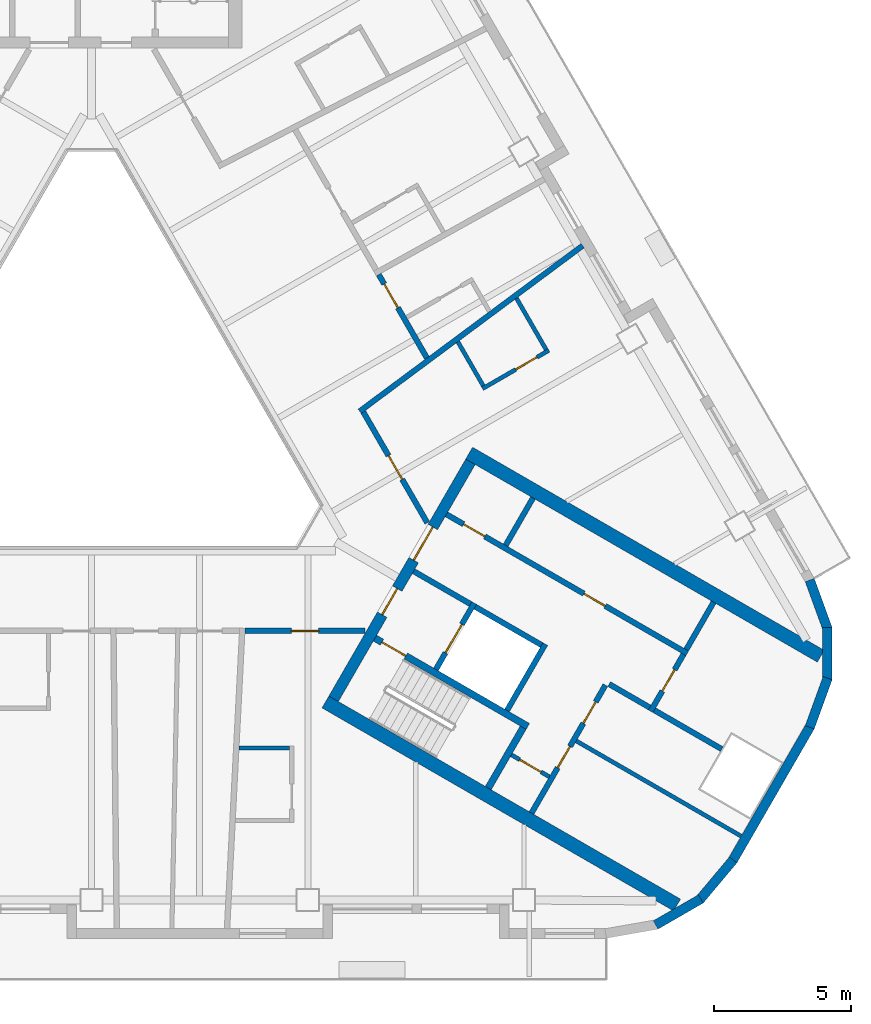
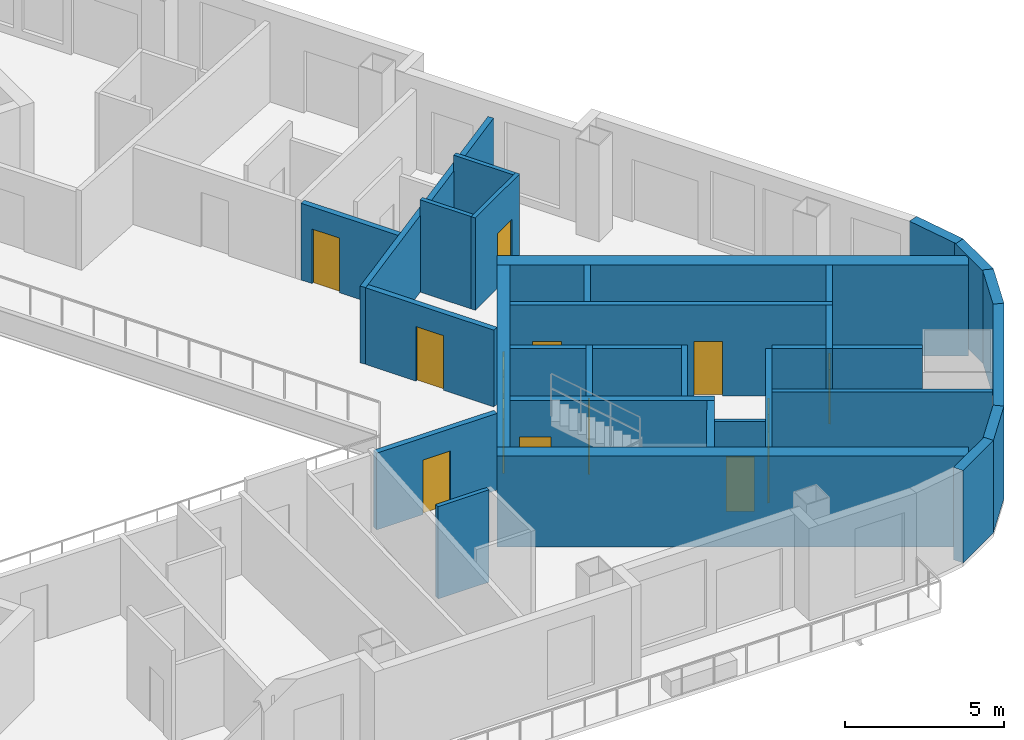
# One storey, part 5 of 14: 32 walls, 14 doors, 14 openings.
"""IFC4 building model written with IfcOpenShell, lengths in metres."""

from ifc_helpers import new_model, si_unit, direction, frame, frame_2d, origin, place, context, subcontext, project, spatial, rectangle, extrude, material, layer, layer_set, type_object, element, fill, save


model = new_model("IFC4")

# Units and contexts
model_context = context("Model", 3, precision=1e-05, world=origin(), true_north=direction((0.0, 1.0)))
body_context = subcontext(model_context, "Body", "Model", "MODEL_VIEW")
ifc_project = project(units=[si_unit("LENGTHUNIT", "METRE"), si_unit("AREAUNIT", "SQUARE_METRE"), si_unit("VOLUMEUNIT", "CUBIC_METRE"), si_unit("PLANEANGLEUNIT", "RADIAN"), si_unit("MASSUNIT", "GRAM", prefix="KILO")], contexts=[model_context])

# Site, building, storey
site_placement = place(None, origin())
site = spatial("IfcSite", under=ifc_project, at=site_placement, CompositionType="ELEMENT")
building_placement = place(site_placement, origin())
building = spatial("IfcBuilding", under=site, at=building_placement, Name="Apuvela Tower Hotel", CompositionType="ELEMENT")
storey_placement = place(building_placement, frame((0.0, 0.0, 172.5)))
storey = spatial("IfcBuildingStorey", under=building, at=storey_placement, Name="L41", CompositionType="ELEMENT", Elevation=172.5)

# Wall, openings, doors
ifc_material_1 = material(Name="Concrete C50/60", Category="concrete")
ifc_layer_1 = layer(ifc_material_1, 0.39990234375)
ifc_layer_set_1 = layer_set([ifc_layer_1], Name="COR-WALL-CORE-400")
wall_type_1 = type_object("IfcWallType", Name="COR-WALL-CORE-400", PredefinedType="SHEAR", material=ifc_layer_set_1)
wall_1_placement = place(storey_placement, frame((8.844970703125, -10.880126953125, 0.0), z_axis=(0.0, 0.0, 1.0), x_axis=(0.500004234368, 0.866022959057, 0.0)))
wall_1 = element("IfcWall", 1, at=wall_1_placement, inside=storey, type_object=wall_type_1, Name="Core wall SE", PredefinedType="SHEAR", context=body_context, shape_type="SweptSolid", body=[
    extrude(rectangle(XDim=10.0, YDim=0.39990234375, at=frame_2d((5.0, 0.0))), origin(), (0.0, 0.0, 1.0), 3.5),
])
opening_1_placement = place(wall_1_placement, frame((3.550048828125, 0.0, 0.0)))
opening_1 = element("IfcOpeningElement", 2, at=opening_1_placement, cuts=wall_1, Name="Opening E-FD", PredefinedType="OPENING", context=body_context, shape_type="SweptSolid", body=[
    extrude(rectangle(XDim=1.10009765625, YDim=2.10009765625, at=frame_2d((0.550048828125, 1.050048828125))), frame((0.0, 0.2099609375, 0.0), z_axis=(0.0, -1.0, 0.0), x_axis=(1.0, 0.0, 0.0)), (0.0, 0.0, 1.0), 0.419921875),
])
opening_2_placement = place(wall_1_placement, frame((5.85009765625, 0.0, 0.0)))
opening_2 = element("IfcOpeningElement", 3, at=opening_2_placement, cuts=wall_1, Name="Opening E-GD", PredefinedType="OPENING", context=body_context, shape_type="SweptSolid", body=[
    extrude(rectangle(XDim=1.39990234375, YDim=2.10009765625, at=frame_2d((0.699951171875, 1.050048828125))), frame((0.0, 0.2099609375, 0.0), z_axis=(0.0, -1.0, 0.0), x_axis=(1.0, 0.0, 0.0)), (0.0, 0.0, 1.0), 0.419921875),
])
ifc_material_2 = material(Name="Steel fire door, powder coated", Category="steel")
door_type_1 = type_object("IfcDoorType", Name="COR-FD-1100", OperationType="NOTDEFINED", PredefinedType="DOOR", material=ifc_material_2)
door_1_placement = place(opening_1_placement, frame((1.10009765625, 0.0, 0.0), z_axis=(0.0, 0.0, 1.0), x_axis=(-1.0, 0.0, 0.0)))
door_1 = element("IfcDoor", 4, at=door_1_placement, inside=storey, type_object=door_type_1, Name="Firefighting lobby door E-FD", OperationType="SINGLE_SWING_LEFT", OverallHeight=2.10009765625, OverallWidth=1.10009765625, PredefinedType="DOOR", context=body_context, shape_type="SweptSolid", body=[
    extrude(rectangle(XDim=1.10009765625, YDim=2.10009765625, at=frame_2d((0.550048828125, 1.050048828125))), frame((0.0, 0.02490234375, 0.0), z_axis=(0.0, -1.0, 0.0), x_axis=(1.0, 0.0, 0.0)), (0.0, 0.0, 1.0), 0.050048828125),
])
fill(opening_1, door_1)
ifc_material_3 = material(Name="Glazed steel fire door", Category="steel")
door_type_2 = type_object("IfcDoorType", Name="COR-GD-1400", OperationType="DOUBLE_DOOR_SINGLE_SWING", PredefinedType="DOOR", material=ifc_material_3)
door_2_placement = place(opening_2_placement, frame((1.39990234375, 0.0, 0.0), z_axis=(0.0, 0.0, 1.0), x_axis=(-1.0, 0.0, 0.0)))
door_2 = element("IfcDoor", 5, at=door_2_placement, inside=storey, type_object=door_type_2, Name="Lift lobby door E-GD", OperationType="DOUBLE_DOOR_SINGLE_SWING", OverallHeight=2.10009765625, OverallWidth=1.39990234375, PredefinedType="DOOR", context=body_context, shape_type="SweptSolid", body=[
    extrude(rectangle(XDim=1.39990234375, YDim=2.10009765625, at=frame_2d((0.699951171875, 1.050048828125))), frame((0.0, 0.02490234375, 0.0), z_axis=(0.0, -1.0, 0.0), x_axis=(1.0, 0.0, 0.0)), (0.0, 0.0, 1.0), 0.050048828125),
])
fill(opening_2, door_2)

# Walls
ifc_layer_2 = layer(ifc_material_1, 0.5)
ifc_layer_set_2 = layer_set([ifc_layer_2], Name="COR-WALL-CORE-500")
wall_type_2 = type_object("IfcWallType", Name="COR-WALL-CORE-500", PredefinedType="SHEAR", material=ifc_layer_set_2)
for number, where, z_axis, x_axis, name in (
    (6, (8.546630859375, -10.99658203125, 0.0), (0.0, 0.0, 1.0), (0.866025009528, -0.500000682871, 0.0), "Core wall SE"),
    (7, (13.796630859375, -1.9033203125, 0.0), (0.0, 0.0, 1.0), (0.866025009528, -0.500000682871, 0.0), "Core wall SE"),
):
    element("IfcWall", number, at=place(storey_placement, frame(where, z_axis=z_axis, x_axis=x_axis)), inside=storey, type_object=wall_type_2, Name=name, PredefinedType="SHEAR", context=body_context, shape_type="SweptSolid", body=[
        extrude(rectangle(XDim=14.8369140625, YDim=0.5, at=frame_2d((7.41845703125, 0.0))), origin(), (0.0, 0.0, 1.0), 3.5),
    ])

# Wall, opening, door
ifc_material_4 = material(Name="Blockwork 150 mm plastered", Category="masonry")
ifc_layer_3 = layer(ifc_material_4, 0.14990234375)
ifc_layer_set_3 = layer_set([ifc_layer_3], Name="COR-WALL-PART-150")
wall_type_3 = type_object("IfcWallType", Name="COR-WALL-PART-150", PredefinedType="PARTITIONING", material=ifc_layer_set_3)
wall_2_placement = place(storey_placement, frame((15.341552734375, -12.927734375, 0.0), z_axis=(0.0, 0.0, 1.0), x_axis=(0.865989903783, -0.500061482766, 0.0)))
wall_2 = element("IfcWall", 8, at=wall_2_placement, inside=storey, type_object=wall_type_3, Name="Partition SE", PredefinedType="PARTITIONING", context=body_context, shape_type="SweptSolid", body=[
    extrude(rectangle(XDim=1.599853515625, YDim=0.14990234375, at=frame_2d((0.7998046875, 0.0))), origin(), (0.0, 0.0, 1.0), 3.5),
])
opening_3_placement = place(wall_2_placement, frame((0.35009765625, 0.0, 0.0)))
opening_3 = element("IfcOpeningElement", 9, at=opening_3_placement, cuts=wall_2, Name="Opening E-RD", PredefinedType="OPENING", context=body_context, shape_type="SweptSolid", body=[
    extrude(rectangle(XDim=0.89990234375, YDim=2.10009765625, at=frame_2d((0.449951171875, 1.050048828125))), frame((0.0, 0.0849609375, 0.0), z_axis=(0.0, -1.0, 0.0), x_axis=(1.0, 0.0, 0.0)), (0.0, 0.0, 1.0), 0.169921875),
])
ifc_material_5 = material(Name="Steel access door, powder coated", Category="steel")
door_type_3 = type_object("IfcDoorType", Name="COR-RD-900", OperationType="NOTDEFINED", PredefinedType="DOOR", material=ifc_material_5)
door_3_placement = place(opening_3_placement, frame((0.89990234375, 0.0, 0.0), z_axis=(0.0, 0.0, 1.0), x_axis=(-1.0, 0.0, 0.0)))
door_3 = element("IfcDoor", 10, at=door_3_placement, inside=storey, type_object=door_type_3, Name="Riser door E-RD", OperationType="SINGLE_SWING_LEFT", OverallHeight=2.10009765625, OverallWidth=0.89990234375, PredefinedType="DOOR", context=body_context, shape_type="SweptSolid", body=[
    extrude(rectangle(XDim=0.89990234375, YDim=2.10009765625, at=frame_2d((0.449951171875, 1.050048828125))), frame((0.0, 0.02490234375, 0.0), z_axis=(0.0, -1.0, 0.0), x_axis=(1.0, 0.0, 0.0)), (0.0, 0.0, 1.0), 0.050048828125),
])
fill(opening_3, door_3)

# Wall
wall_3_placement = place(storey_placement, frame((17.712890625, -12.42041015625, 0.0), z_axis=(0.0, 0.0, 1.0), x_axis=(0.866016523273, -0.500015381182, 0.0)))
element("IfcWall", 11, at=wall_3_placement, inside=storey, type_object=wall_type_3, Name="Partition SE", PredefinedType="PARTITIONING", context=body_context, shape_type="SweptSolid", body=[
    extrude(rectangle(XDim=6.949951171875, YDim=0.14990234375, at=frame_2d((3.47509765625, 0.0))), origin(), (0.0, 0.0, 1.0), 3.5),
])

# Wall, openings, doors
ifc_material_6 = material(Name="Blockwork 200 mm plastered", Category="masonry")
ifc_layer_4 = layer(ifc_material_6, 0.199951171875)
ifc_layer_set_4 = layer_set([ifc_layer_4], Name="COR-WALL-PART-200")
wall_type_4 = type_object("IfcWallType", Name="COR-WALL-PART-200", PredefinedType="PARTITIONING", material=ifc_layer_set_4)
wall_4_placement = place(storey_placement, frame((16.076171875, -15.05517578125, 0.0), z_axis=(0.0, 0.0, 1.0), x_axis=(0.499995103361, 0.866028230842, 0.0)))
wall_4 = element("IfcWall", 12, at=wall_4_placement, inside=storey, type_object=wall_type_4, Name="Partition SE", PredefinedType="PARTITIONING", context=body_context, shape_type="SweptSolid", body=[
    extrude(rectangle(XDim=5.39990234375, YDim=0.199951171875, at=frame_2d((2.699951171875, 0.0))), origin(), (0.0, 0.0, 1.0), 3.5),
])
opening_4_placement = place(wall_4_placement, frame((1.91259765625, 0.0, 0.0)))
opening_4 = element("IfcOpeningElement", 13, at=opening_4_placement, cuts=wall_4, Name="Opening E-RS1", PredefinedType="OPENING", context=body_context, shape_type="SweptSolid", body=[
    extrude(rectangle(XDim=0.89990234375, YDim=2.10009765625, at=frame_2d((0.449951171875, 1.050048828125))), frame((0.0, 0.10986328125, 0.0), z_axis=(0.0, -1.0, 0.0), x_axis=(1.0, 0.0, 0.0)), (0.0, 0.0, 1.0), 0.219970703125),
])
opening_5_placement = place(wall_4_placement, frame((3.78759765625, 0.0, 0.0)))
opening_5 = element("IfcOpeningElement", 14, at=opening_5_placement, cuts=wall_4, Name="Opening E-RS2", PredefinedType="OPENING", context=body_context, shape_type="SweptSolid", body=[
    extrude(rectangle(XDim=0.89990234375, YDim=2.10009765625, at=frame_2d((0.449951171875, 1.050048828125))), frame((0.0, 0.10986328125, 0.0), z_axis=(0.0, -1.0, 0.0), x_axis=(1.0, 0.0, 0.0)), (0.0, 0.0, 1.0), 0.219970703125),
])
door_type_4 = type_object("IfcDoorType", Name="COR-DR-900", OperationType="NOTDEFINED", PredefinedType="DOOR", material=ifc_material_2)
door_4_placement = place(opening_4_placement, frame((0.89990234375, 0.0, 0.0), z_axis=(0.0, 0.0, 1.0), x_axis=(-1.0, 0.0, 0.0)))
door_4 = element("IfcDoor", 15, at=door_4_placement, inside=storey, type_object=door_type_4, Name="Store door E-RS1", OperationType="SINGLE_SWING_LEFT", OverallHeight=2.10009765625, OverallWidth=0.89990234375, PredefinedType="DOOR", context=body_context, shape_type="SweptSolid", body=[
    extrude(rectangle(XDim=0.89990234375, YDim=2.10009765625, at=frame_2d((0.449951171875, 1.050048828125))), frame((0.0, 0.02490234375, 0.0), z_axis=(0.0, -1.0, 0.0), x_axis=(1.0, 0.0, 0.0)), (0.0, 0.0, 1.0), 0.050048828125),
])
fill(opening_4, door_4)
door_5_placement = place(opening_5_placement, frame((0.89990234375, 0.0, 0.0), z_axis=(0.0, 0.0, 1.0), x_axis=(-1.0, 0.0, 0.0)))
door_5 = element("IfcDoor", 16, at=door_5_placement, inside=storey, type_object=door_type_4, Name="Store door E-RS2", OperationType="SINGLE_SWING_LEFT", OverallHeight=2.10009765625, OverallWidth=0.89990234375, PredefinedType="DOOR", context=body_context, shape_type="SweptSolid", body=[
    extrude(rectangle(XDim=0.89990234375, YDim=2.10009765625, at=frame_2d((0.449951171875, 1.050048828125))), frame((0.0, 0.02490234375, 0.0), z_axis=(0.0, -1.0, 0.0), x_axis=(1.0, 0.0, 0.0)), (0.0, 0.0, 1.0), 0.050048828125),
])
fill(opening_5, door_5)

# Wall
ifc_layer_5 = layer(ifc_material_1, 0.199951171875)
ifc_layer_set_5 = layer_set([ifc_layer_5], Name="COR-WALL-SHAFT-200")
wall_type_5 = type_object("IfcWallType", Name="COR-WALL-SHAFT-200", PredefinedType="SHEAR", material=ifc_layer_set_5)
wall_5_placement = place(storey_placement, frame((15.181396484375, -11.305419921875, 0.0), z_axis=(0.0, 0.0, 1.0), x_axis=(0.49994636267, 0.866056369097, 0.0)))
element("IfcWall", 17, at=wall_5_placement, inside=storey, type_object=wall_type_5, Name="Shaft wall SE", PredefinedType="SHEAR", context=body_context, shape_type="SweptSolid", body=[
    extrude(rectangle(XDim=2.800048828125, YDim=0.199951171875, at=frame_2d((1.39990234375, 0.0))), origin(), (0.0, 0.0, 1.0), 3.5),
])

# Wall, opening, door
wall_6_placement = place(storey_placement, frame((12.583251953125, -9.805419921875, 0.0), z_axis=(0.0, 0.0, 1.0), x_axis=(0.49994636267, 0.866056369097, 0.0)))
wall_6 = element("IfcWall", 18, at=wall_6_placement, inside=storey, type_object=wall_type_5, Name="Shaft wall SE", PredefinedType="SHEAR", context=body_context, shape_type="SweptSolid", body=[
    extrude(rectangle(XDim=2.800048828125, YDim=0.199951171875, at=frame_2d((1.39990234375, 0.0))), origin(), (0.0, 0.0, 1.0), 3.5),
])
opening_6_placement = place(wall_6_placement, frame((0.699951171875, 0.0, 0.0)))
opening_6 = element("IfcOpeningElement", 19, at=opening_6_placement, cuts=wall_6, Name="Opening E-LD-FS3", PredefinedType="OPENING", context=body_context, shape_type="SweptSolid", body=[
    extrude(rectangle(XDim=1.199951171875, YDim=2.10009765625, at=frame_2d((0.60009765625, 1.050048828125))), frame((0.0, 0.10986328125, 0.0), z_axis=(0.0, -1.0, 0.0), x_axis=(1.0, 0.0, 0.0)), (0.0, 0.0, 1.0), 0.219970703125),
])
ifc_material_7 = material(Name="Stainless steel lift landing door", Category="steel")
door_type_5 = type_object("IfcDoorType", Name="COR-LD-1200", OperationType="DOUBLE_DOOR_SLIDING", PredefinedType="DOOR", material=ifc_material_7)
door_6_placement = place(opening_6_placement, origin())
door_6 = element("IfcDoor", 20, at=door_6_placement, inside=storey, type_object=door_type_5, Name="Lift landing door E-LD-FS3", OperationType="DOUBLE_DOOR_SLIDING", OverallHeight=2.10009765625, OverallWidth=1.199951171875, PredefinedType="DOOR", context=body_context, shape_type="SweptSolid", body=[
    extrude(rectangle(XDim=1.199951171875, YDim=2.10009765625, at=frame_2d((0.60009765625, 1.050048828125))), frame((0.0, 0.02490234375, 0.0), z_axis=(0.0, -1.0, 0.0), x_axis=(1.0, 0.0, 0.0)), (0.0, 0.0, 1.0), 0.050048828125),
])
fill(opening_6, door_6)

# Walls
wall_7_placement = place(storey_placement, frame((11.76806640625, -6.217041015625, 0.0), z_axis=(0.0, 0.0, 1.0), x_axis=(0.866050077142, -0.499957262057, 0.0)))
element("IfcWall", 21, at=wall_7_placement, inside=storey, type_object=wall_type_5, Name="Shaft wall SE", PredefinedType="SHEAR", context=body_context, shape_type="SweptSolid", body=[
    extrude(rectangle(XDim=2.400146484375, YDim=0.199951171875, at=frame_2d((1.2001953125, 0.0))), origin(), (0.0, 0.0, 1.0), 3.5),
])
wall_8_placement = place(storey_placement, frame((14.019775390625, -7.51708984375, 0.0), z_axis=(0.0, 0.0, 1.0), x_axis=(0.866034573852, -0.49998411664, 0.0)))
element("IfcWall", 22, at=wall_8_placement, inside=storey, type_object=wall_type_5, Name="Shaft wall SE", PredefinedType="SHEAR", context=body_context, shape_type="SweptSolid", body=[
    extrude(rectangle(XDim=2.7998046875, YDim=0.199951171875, at=frame_2d((1.39990234375, 0.0))), origin(), (0.0, 0.0, 1.0), 3.5),
])

# Wall, openings, doors
wall_9_placement = place(storey_placement, frame((12.968017578125, -4.138427734375, 0.0), z_axis=(0.0, 0.0, 1.0), x_axis=(0.866028328073, -0.49999493495, 0.0)))
wall_9 = element("IfcWall", 23, at=wall_9_placement, inside=storey, type_object=wall_type_5, Name="Shaft wall SE", PredefinedType="SHEAR", context=body_context, shape_type="SweptSolid", body=[
    extrude(rectangle(XDim=10.16015625, YDim=0.199951171875, at=frame_2d((5.080078125, 0.0))), origin(), (0.0, 0.0, 1.0), 3.5),
])
opening_7_placement = place(wall_9_placement, frame((0.719970703125, 0.0, 0.0)))
opening_7 = element("IfcOpeningElement", 24, at=opening_7_placement, cuts=wall_9, Name="Opening E-RE1", PredefinedType="OPENING", context=body_context, shape_type="SweptSolid", body=[
    extrude(rectangle(XDim=0.89990234375, YDim=2.10009765625, at=frame_2d((0.449951171875, 1.050048828125))), frame((0.0, 0.10986328125, 0.0), z_axis=(0.0, -1.0, 0.0), x_axis=(1.0, 0.0, 0.0)), (0.0, 0.0, 1.0), 0.219970703125),
])
opening_8_placement = place(wall_9_placement, frame((5.800048828125, 0.0, 0.0)))
opening_8 = element("IfcOpeningElement", 25, at=opening_8_placement, cuts=wall_9, Name="Opening E-RE2", PredefinedType="OPENING", context=body_context, shape_type="SweptSolid", body=[
    extrude(rectangle(XDim=0.89990234375, YDim=2.10009765625, at=frame_2d((0.449951171875, 1.050048828125))), frame((0.0, 0.10986328125, 0.0), z_axis=(0.0, -1.0, 0.0), x_axis=(1.0, 0.0, 0.0)), (0.0, 0.0, 1.0), 0.219970703125),
])
door_7_placement = place(opening_7_placement, origin())
door_7 = element("IfcDoor", 26, at=door_7_placement, inside=storey, type_object=door_type_4, Name="Store door E-RE1", OperationType="SINGLE_SWING_LEFT", OverallHeight=2.10009765625, OverallWidth=0.89990234375, PredefinedType="DOOR", context=body_context, shape_type="SweptSolid", body=[
    extrude(rectangle(XDim=0.89990234375, YDim=2.10009765625, at=frame_2d((0.449951171875, 1.050048828125))), frame((0.0, 0.02490234375, 0.0), z_axis=(0.0, -1.0, 0.0), x_axis=(1.0, 0.0, 0.0)), (0.0, 0.0, 1.0), 0.050048828125),
])
fill(opening_7, door_7)
door_8_placement = place(opening_8_placement, origin())
door_8 = element("IfcDoor", 27, at=door_8_placement, inside=storey, type_object=door_type_4, Name="Store door E-RE2", OperationType="SINGLE_SWING_LEFT", OverallHeight=2.10009765625, OverallWidth=0.89990234375, PredefinedType="DOOR", context=body_context, shape_type="SweptSolid", body=[
    extrude(rectangle(XDim=0.89990234375, YDim=2.10009765625, at=frame_2d((0.449951171875, 1.050048828125))), frame((0.0, 0.02490234375, 0.0), z_axis=(0.0, -1.0, 0.0), x_axis=(1.0, 0.0, 0.0)), (0.0, 0.0, 1.0), 0.050048828125),
])
fill(opening_8, door_8)

# Wall, opening, door
wall_10_placement = place(storey_placement, frame((20.430419921875, -11.33349609375, 0.0), z_axis=(0.0, 0.0, 1.0), x_axis=(0.500001309137, 0.866024647952, 0.0)))
wall_10 = element("IfcWall", 28, at=wall_10_placement, inside=storey, type_object=wall_type_5, Name="Shaft wall SE", PredefinedType="SHEAR", context=body_context, shape_type="SweptSolid", body=[
    extrude(rectangle(XDim=2.39990234375, YDim=0.199951171875, at=frame_2d((1.199951171875, 0.0))), origin(), (0.0, 0.0, 1.0), 3.5),
])
opening_9_placement = place(wall_10_placement, frame((0.85009765625, 0.0, 0.0)))
opening_9 = element("IfcOpeningElement", 29, at=opening_9_placement, cuts=wall_10, Name="Opening E-REP", PredefinedType="OPENING", context=body_context, shape_type="SweptSolid", body=[
    extrude(rectangle(XDim=0.89990234375, YDim=2.10009765625, at=frame_2d((0.449951171875, 1.050048828125))), frame((0.0, 0.10986328125, 0.0), z_axis=(0.0, -1.0, 0.0), x_axis=(1.0, 0.0, 0.0)), (0.0, 0.0, 1.0), 0.219970703125),
])
door_9_placement = place(opening_9_placement, frame((0.89990234375, 0.0, 0.0), z_axis=(0.0, 0.0, 1.0), x_axis=(-1.0, 0.0, 0.0)))
door_9 = element("IfcDoor", 30, at=door_9_placement, inside=storey, type_object=door_type_4, Name="Store door E-REP", OperationType="SINGLE_SWING_RIGHT", OverallHeight=2.10009765625, OverallWidth=0.89990234375, PredefinedType="DOOR", context=body_context, shape_type="SweptSolid", body=[
    extrude(rectangle(XDim=0.89990234375, YDim=2.10009765625, at=frame_2d((0.449951171875, 1.050048828125))), frame((0.0, 0.02490234375, 0.0), z_axis=(0.0, -1.0, 0.0), x_axis=(1.0, 0.0, 0.0)), (0.0, 0.0, 1.0), 0.050048828125),
])
fill(opening_9, door_9)

# Walls
wall_11_placement = place(storey_placement, frame((18.912841796875, -10.342041015625, 0.0), z_axis=(0.0, 0.0, 1.0), x_axis=(0.866038183914, -0.499977863513, 0.0)))
element("IfcWall", 31, at=wall_11_placement, inside=storey, type_object=wall_type_5, Name="Shaft wall SE", PredefinedType="SHEAR", context=body_context, shape_type="SweptSolid", body=[
    extrude(rectangle(XDim=1.7099609375, YDim=0.199951171875, at=frame_2d((0.85498046875, 0.0))), origin(), (0.0, 0.0, 1.0), 3.5),
])
for number, where, z_axis, x_axis, name in (
    (32, (15.131103515625, -5.27197265625, 0.0), (0.0, 0.0, 1.0), (0.499972520799, 0.866041268327, 0.0), "Shaft wall SE"),
    (33, (21.73046875, -9.081787109375, 0.0), (0.0, 0.0, 1.0), (0.50002537861, 0.866010750942, 0.0), "Shaft wall SE"),
):
    element("IfcWall", number, at=place(storey_placement, frame(where, z_axis=z_axis, x_axis=x_axis)), inside=storey, type_object=wall_type_5, Name=name, PredefinedType="SHEAR", context=body_context, shape_type="SweptSolid", body=[
        extrude(rectangle(XDim=2.0, YDim=0.199951171875, at=frame_2d((1.0, 0.0))), origin(), (0.0, 0.0, 1.0), 3.5),
    ])
wall_12_placement = place(storey_placement, frame((20.56689453125, -11.297119140625, 0.0), z_axis=(0.0, 0.0, 1.0), x_axis=(0.866055327414, -0.49994816717, 0.0)))
element("IfcWall", 34, at=wall_12_placement, inside=storey, type_object=wall_type_5, Name="Shaft wall SE", PredefinedType="SHEAR", context=body_context, shape_type="SweptSolid", body=[
    extrude(rectangle(XDim=2.840087890625, YDim=0.199951171875, at=frame_2d((1.419921875, 0.0))), origin(), (0.0, 0.0, 1.0), 3.5),
])

# Wall, opening, door
ifc_layer_6 = layer(ifc_material_1, 0.25)
ifc_layer_set_6 = layer_set([ifc_layer_6], Name="COR-WALL-STAIR-250")
wall_type_6 = type_object("IfcWallType", Name="COR-WALL-STAIR-250", PredefinedType="SHEAR", material=ifc_layer_set_6)
wall_13_placement = place(storey_placement, frame((10.355712890625, -8.66357421875, 0.0), z_axis=(0.0, 0.0, 1.0), x_axis=(0.866028629588, -0.499994412703, 0.0)))
wall_13 = element("IfcWall", 35, at=wall_13_placement, inside=storey, type_object=wall_type_6, Name="Stair wall SE", PredefinedType="SHEAR", context=body_context, shape_type="SweptSolid", body=[
    extrude(rectangle(XDim=6.44970703125, YDim=0.25, at=frame_2d((3.224853515625, 0.0))), origin(), (0.0, 0.0, 1.0), 3.5),
])
opening_10_placement = place(wall_13_placement, frame((0.300048828125, 0.0, 0.0)))
opening_10 = element("IfcOpeningElement", 36, at=opening_10_placement, cuts=wall_13, Name="Opening E-SD", PredefinedType="OPENING", context=body_context, shape_type="SweptSolid", body=[
    extrude(rectangle(XDim=1.0, YDim=2.10009765625, at=frame_2d((0.5, 1.050048828125))), frame((0.0, 0.135009765625, 0.0), z_axis=(0.0, -1.0, 0.0), x_axis=(1.0, 0.0, 0.0)), (0.0, 0.0, 1.0), 0.27001953125),
])
door_type_6 = type_object("IfcDoorType", Name="COR-SD-1000", OperationType="NOTDEFINED", PredefinedType="DOOR", material=ifc_material_2)
door_10_placement = place(opening_10_placement, frame((1.0, 0.0, 0.0), z_axis=(0.0, 0.0, 1.0), x_axis=(-1.0, 0.0, 0.0)))
door_10 = element("IfcDoor", 37, at=door_10_placement, inside=storey, type_object=door_type_6, Name="Stair door E-SD", OperationType="SINGLE_SWING_LEFT", OverallHeight=2.10009765625, OverallWidth=1.0, PredefinedType="DOOR", context=body_context, shape_type="SweptSolid", body=[
    extrude(rectangle(XDim=1.0, YDim=2.10009765625, at=frame_2d((0.5, 1.050048828125))), frame((0.0, 0.02490234375, 0.0), z_axis=(0.0, -1.0, 0.0), x_axis=(1.0, 0.0, 0.0)), (0.0, 0.0, 1.0), 0.050048828125),
])
fill(opening_10, door_10)

# Walls
wall_14_placement = place(storey_placement, frame((14.49560546875, -14.142578125, 0.0), z_axis=(0.0, 0.0, 1.0), x_axis=(0.500062241894, 0.865989465428, 0.0)))
element("IfcWall", 38, at=wall_14_placement, inside=storey, type_object=wall_type_6, Name="Stair wall SE", PredefinedType="SHEAR", context=body_context, shape_type="SweptSolid", body=[
    extrude(rectangle(XDim=2.550048828125, YDim=0.25, at=frame_2d((1.27490234375, 0.0))), origin(), (0.0, 0.0, 1.0), 3.5),
])
ifc_material_8 = material(Name="Concrete C40/50, dark pigmented precast panel", Category="concrete")
ifc_layer_7 = layer(ifc_material_8, 0.35009765625)
ifc_layer_set_7 = layer_set([ifc_layer_7], Name="ENV-WALL-350")
wall_type_7 = type_object("IfcWallType", Name="ENV-WALL-350", PredefinedType="SOLIDWALL", material=ifc_layer_set_7)
for number, where, z_axis, x_axis, name in (
    (39, (20.609619140625, -19.146728515625, 0.0), (0.0, 0.0, 1.0), (0.866000389056, 0.500043324278, 0.0), "External wall L41-27"),
    (40, (22.21728515625, -18.230712890625, 0.0), (0.0, 0.0, 1.0), (0.642733291068, 0.76609001857, 0.0), "External wall L41-28"),
):
    element("IfcWall", number, at=place(storey_placement, frame(where, z_axis=z_axis, x_axis=x_axis)), inside=storey, type_object=wall_type_7, Name=name, PredefinedType="SOLIDWALL", context=body_context, shape_type="SweptSolid", body=[
        extrude(rectangle(XDim=1.909912109375, YDim=0.35009765625, at=frame_2d((0.955078125, 0.0))), origin(), (0.0, 0.0, 1.0), 3.550048828125),
    ])
wall_15_placement = place(storey_placement, frame((23.427490234375, -16.79248046875, 0.0), z_axis=(0.0, 0.0, 1.0), x_axis=(0.500018773155, 0.866014564827, 0.0)))
element("IfcWall", 41, at=wall_15_placement, inside=storey, type_object=wall_type_7, Name="External wall L41-29", PredefinedType="SOLIDWALL", context=body_context, shape_type="SweptSolid", body=[
    extrude(rectangle(XDim=5.657958984375, YDim=0.35009765625, at=frame_2d((2.8291015625, 0.0))), origin(), (0.0, 0.0, 1.0), 3.550048828125),
])
for number, where, z_axis, x_axis, name in (
    (42, (26.24365234375, -11.920166015625, 0.0), (0.0, 0.0, 1.0), (0.342030395486, 0.939688889242, 0.0), "External wall L41-30"),
    (43, (26.88623046875, -10.18505859375, 0.0), (0.0, 0.0, 1.0), (0.0, 1.0, 0.0), "External wall L41-31"),
    (44, (26.89697265625, -8.334716796875, 0.0), (0.0, 0.0, 1.0), (-0.342030395486, 0.939688889242, 0.0), "External wall L41-32"),
):
    element("IfcWall", number, at=place(storey_placement, frame(where, z_axis=z_axis, x_axis=x_axis)), inside=storey, type_object=wall_type_7, Name=name, PredefinedType="SOLIDWALL", context=body_context, shape_type="SweptSolid", body=[
        extrude(rectangle(XDim=1.91015625, YDim=0.35009765625, at=frame_2d((0.955078125, 0.0))), origin(), (0.0, 0.0, 1.0), 3.550048828125),
    ])
ifc_material_9 = material(Name="Gypsum board partition on twin steel stud", Category="steel")
ifc_layer_8 = layer(ifc_material_9, 0.199951171875)
ifc_layer_set_8 = layer_set([ifc_layer_8], Name="GST-PW1")
wall_type_8 = type_object("IfcWallType", Name="GST-PW1", PredefinedType="PARTITIONING", material=ifc_layer_set_8)
wall_16_placement = place(storey_placement, frame((17.944580078125, 5.6787109375, 0.0), z_axis=(0.0, 0.0, 1.0), x_axis=(-0.802677042984, -0.596413920584, 0.0)))
element("IfcWall", 45, at=wall_16_placement, inside=storey, type_object=wall_type_8, Name="L41 partition 04", PredefinedType="PARTITIONING", context=body_context, shape_type="SweptSolid", body=[
    extrude(rectangle(XDim=10.147216796875, YDim=0.199951171875, at=frame_2d((5.07373046875, 0.0))), origin(), (0.0, 0.0, 1.0), 2.949951171875),
])

# Wall, opening, door
ifc_material_10 = material(Name="Gypsum board corridor wall on twin steel stud, acoustic", Category="steel")
ifc_layer_9 = layer(ifc_material_10, 0.199951171875)
ifc_layer_set_9 = layer_set([ifc_layer_9], Name="GST-PW2")
wall_type_9 = type_object("IfcWallType", Name="GST-PW2", PredefinedType="PARTITIONING", material=ifc_layer_set_9)
wall_17_placement = place(storey_placement, frame((9.98828125, -8.39990234375, 0.0), z_axis=(0.0, 0.0, 1.0), x_axis=(-1.0, 0.0, 0.0)))
wall_17 = element("IfcWall", 46, at=wall_17_placement, inside=storey, type_object=wall_type_9, Name="L41 partition 19", PredefinedType="PARTITIONING", context=body_context, shape_type="SweptSolid", body=[
    extrude(rectangle(XDim=4.383056640625, YDim=0.199951171875, at=frame_2d((2.19140625, 0.0))), origin(), (0.0, 0.0, 1.0), 2.949951171875),
])
opening_11_placement = place(wall_17_placement, frame((1.69140625, 0.0, 0.0)))
opening_11 = element("IfcOpeningElement", 47, at=opening_11_placement, cuts=wall_17, Name="Opening GD15-08", PredefinedType="OPENING", context=body_context, shape_type="SweptSolid", body=[
    extrude(rectangle(XDim=1.0, YDim=2.10009765625, at=frame_2d((0.5, 1.050048828125))), frame((0.0, 0.10986328125, 0.0), z_axis=(0.0, -1.0, 0.0), x_axis=(1.0, 0.0, 0.0)), (0.0, 0.0, 1.0), 0.219970703125),
])
ifc_material_11 = material(Name="Timber door leaf in steel frame", Category="steel")
door_type_7 = type_object("IfcDoorType", Name="GST-D1", OperationType="NOTDEFINED", PredefinedType="DOOR", material=ifc_material_11)
door_11_placement = place(opening_11_placement, origin())
door_11 = element("IfcDoor", 48, at=door_11_placement, inside=storey, type_object=door_type_7, Name="Door L41-08", OperationType="SINGLE_SWING_RIGHT", OverallHeight=2.10009765625, OverallWidth=1.0, PredefinedType="DOOR", context=body_context, shape_type="SweptSolid", body=[
    extrude(rectangle(XDim=1.0, YDim=2.10009765625, at=frame_2d((0.5, 1.050048828125))), frame((0.0, 0.02490234375, 0.0), z_axis=(0.0, -1.0, 0.0), x_axis=(1.0, 0.0, 0.0)), (0.0, 0.0, 1.0), 0.050048828125),
])
fill(opening_11, door_11)

wall_18_placement = place(storey_placement, frame((9.9306640625, -0.400634765625, 0.0), z_axis=(0.0, 0.0, 1.0), x_axis=(0.5000418389, -0.866001246737, 0.0)))
wall_18 = element("IfcWall", 49, at=wall_18_placement, inside=storey, type_object=wall_type_9, Name="L41 partition 23", PredefinedType="PARTITIONING", context=body_context, shape_type="SweptSolid", body=[
    extrude(rectangle(XDim=4.67578125, YDim=0.199951171875, at=frame_2d((2.337890625, 0.0))), origin(), (0.0, 0.0, 1.0), 2.949951171875),
])
opening_12_placement = place(wall_18_placement, frame((1.837890625, 0.0, 0.0)))
opening_12 = element("IfcOpeningElement", 50, at=opening_12_placement, cuts=wall_18, Name="Opening GD15-10", PredefinedType="OPENING", context=body_context, shape_type="SweptSolid", body=[
    extrude(rectangle(XDim=1.0, YDim=2.10009765625, at=frame_2d((0.5, 1.050048828125))), frame((0.0, 0.10986328125, 0.0), z_axis=(0.0, -1.0, 0.0), x_axis=(1.0, 0.0, 0.0)), (0.0, 0.0, 1.0), 0.219970703125),
])
door_12_placement = place(opening_12_placement, origin())
door_12 = element("IfcDoor", 51, at=door_12_placement, inside=storey, type_object=door_type_7, Name="Door L41-10", OperationType="SINGLE_SWING_LEFT", OverallHeight=2.10009765625, OverallWidth=1.0, PredefinedType="DOOR", context=body_context, shape_type="SweptSolid", body=[
    extrude(rectangle(XDim=1.0, YDim=2.10009765625, at=frame_2d((0.5, 1.050048828125))), frame((0.0, 0.02490234375, 0.0), z_axis=(0.0, -1.0, 0.0), x_axis=(1.0, 0.0, 0.0)), (0.0, 0.0, 1.0), 0.050048828125),
])
fill(opening_12, door_12)

wall_19_placement = place(storey_placement, frame((10.494873046875, 4.622314453125, 0.0), z_axis=(0.0, 0.0, 1.0), x_axis=(0.500004750779, -0.866022660904, 0.0)))
wall_19 = element("IfcWall", 52, at=wall_19_placement, inside=storey, type_object=wall_type_9, Name="L41 partition 27", PredefinedType="PARTITIONING", context=body_context, shape_type="SweptSolid", body=[
    extrude(rectangle(XDim=3.5185546875, YDim=0.199951171875, at=frame_2d((1.75927734375, 0.0))), origin(), (0.0, 0.0, 1.0), 2.949951171875),
])
opening_13_placement = place(wall_19_placement, frame((0.39990234375, 0.0, 0.0)))
opening_13 = element("IfcOpeningElement", 53, at=opening_13_placement, cuts=wall_19, Name="Opening GD15-12", PredefinedType="OPENING", context=body_context, shape_type="SweptSolid", body=[
    extrude(rectangle(XDim=1.0, YDim=2.10009765625, at=frame_2d((0.5, 1.050048828125))), frame((0.0, 0.10986328125, 0.0), z_axis=(0.0, -1.0, 0.0), x_axis=(1.0, 0.0, 0.0)), (0.0, 0.0, 1.0), 0.219970703125),
])
door_13_placement = place(opening_13_placement, origin())
door_13 = element("IfcDoor", 54, at=door_13_placement, inside=storey, type_object=door_type_7, Name="Door L41-12", OperationType="SINGLE_SWING_LEFT", OverallHeight=2.10009765625, OverallWidth=1.0, PredefinedType="DOOR", context=body_context, shape_type="SweptSolid", body=[
    extrude(rectangle(XDim=1.0, YDim=2.10009765625, at=frame_2d((0.5, 1.050048828125))), frame((0.0, 0.02490234375, 0.0), z_axis=(0.0, -1.0, 0.0), x_axis=(1.0, 0.0, 0.0)), (0.0, 0.0, 1.0), 0.050048828125),
])
fill(opening_13, door_13)

# Wall
ifc_material_12 = material(Name="Moisture-resistant gypsum board wet wall on steel stud", Category="steel")
ifc_layer_10 = layer(ifc_material_12, 0.14990234375)
ifc_layer_set_10 = layer_set([ifc_layer_10], Name="GST-PW3")
wall_type_10 = type_object("IfcWallType", Name="GST-PW3", PredefinedType="PARTITIONING", material=ifc_layer_set_10)
wall_20_placement = place(storey_placement, frame((5.38720703125, -12.675048828125, 0.0), z_axis=(0.0, 0.0, 1.0), x_axis=(1.0, 0.0, 0.0)))
element("IfcWall", 55, at=wall_20_placement, inside=storey, type_object=wall_type_10, Name="L41 partition 22", PredefinedType="PARTITIONING", context=body_context, shape_type="SweptSolid", body=[
    extrude(rectangle(XDim=1.853759765625, YDim=0.14990234375, at=frame_2d((0.9267578125, 0.0))), origin(), (0.0, 0.0, 1.0), 3.550048828125),
])

# Wall, opening, door
wall_21_placement = place(storey_placement, frame((14.287109375, 0.4541015625, 0.0), z_axis=(0.0, 0.0, 1.0), x_axis=(0.866034573852, 0.49998411664, 0.0)))
wall_21 = element("IfcWall", 56, at=wall_21_placement, inside=storey, type_object=wall_type_10, Name="L41 partition 24", PredefinedType="PARTITIONING", context=body_context, shape_type="SweptSolid", body=[
    extrude(rectangle(XDim=2.7998046875, YDim=0.14990234375, at=frame_2d((1.39990234375, 0.0))), origin(), (0.0, 0.0, 1.0), 3.550048828125),
])
opening_14_placement = place(wall_21_placement, frame((1.39990234375, 0.0, 0.0)))
opening_14 = element("IfcOpeningElement", 57, at=opening_14_placement, cuts=wall_21, Name="Opening GD15-09", PredefinedType="OPENING", context=body_context, shape_type="SweptSolid", body=[
    extrude(rectangle(XDim=0.89990234375, YDim=2.10009765625, at=frame_2d((0.449951171875, 1.050048828125))), frame((0.0, 0.0849609375, 0.0), z_axis=(0.0, -1.0, 0.0), x_axis=(1.0, 0.0, 0.0)), (0.0, 0.0, 1.0), 0.169921875),
])
door_type_8 = type_object("IfcDoorType", Name="GST-D2", OperationType="NOTDEFINED", PredefinedType="DOOR", material=ifc_material_11)
door_14_placement = place(opening_14_placement, origin())
door_14 = element("IfcDoor", 58, at=door_14_placement, inside=storey, type_object=door_type_8, Name="Door L41-09", OperationType="SINGLE_SWING_RIGHT", OverallHeight=2.10009765625, OverallWidth=0.89990234375, PredefinedType="DOOR", context=body_context, shape_type="SweptSolid", body=[
    extrude(rectangle(XDim=0.89990234375, YDim=2.10009765625, at=frame_2d((0.449951171875, 1.050048828125))), frame((0.0, 0.02490234375, 0.0), z_axis=(0.0, -1.0, 0.0), x_axis=(1.0, 0.0, 0.0)), (0.0, 0.0, 1.0), 0.050048828125),
])
fill(opening_14, door_14)

# Walls
wall_22_placement = place(storey_placement, frame((16.609619140625, 1.881591796875, 0.0), z_axis=(0.0, 0.0, 1.0), x_axis=(-0.500018419339, 0.866014769113, 0.0)))
element("IfcWall", 59, at=wall_22_placement, inside=storey, type_object=wall_type_10, Name="L41 partition 25", PredefinedType="PARTITIONING", context=body_context, shape_type="SweptSolid", body=[
    extrude(rectangle(XDim=2.166015625, YDim=0.14990234375, at=frame_2d((1.0830078125, 0.0))), origin(), (0.0, 0.0, 1.0), 3.550048828125),
])
wall_23_placement = place(storey_placement, frame((14.314453125, 0.556640625, 0.0), z_axis=(0.0, 0.0, 1.0), x_axis=(-0.500052179009, 0.865995276124, 0.0)))
element("IfcWall", 60, at=wall_23_placement, inside=storey, type_object=wall_type_10, Name="L41 partition 26", PredefinedType="PARTITIONING", context=body_context, shape_type="SweptSolid", body=[
    extrude(rectangle(XDim=1.858642578125, YDim=0.14990234375, at=frame_2d((0.92919921875, 0.0))), origin(), (0.0, 0.0, 1.0), 3.550048828125),
])

save(model, "model.ifc")
